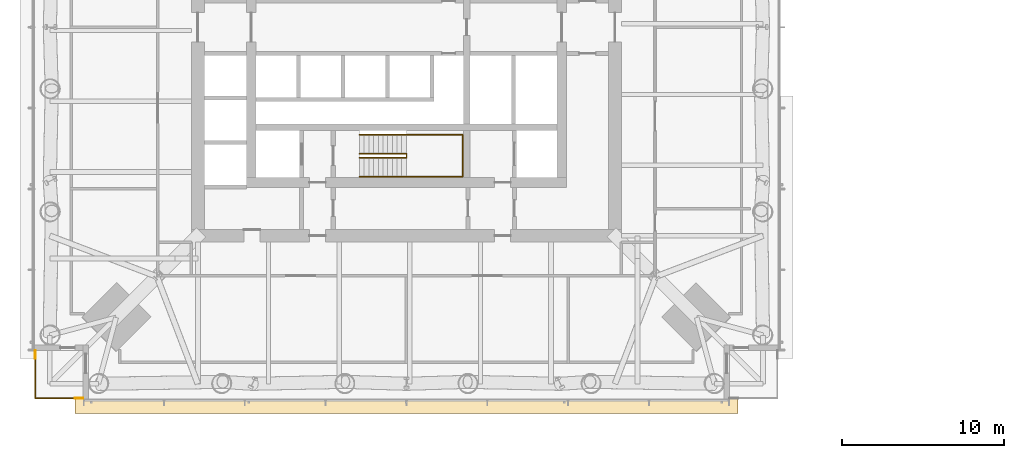
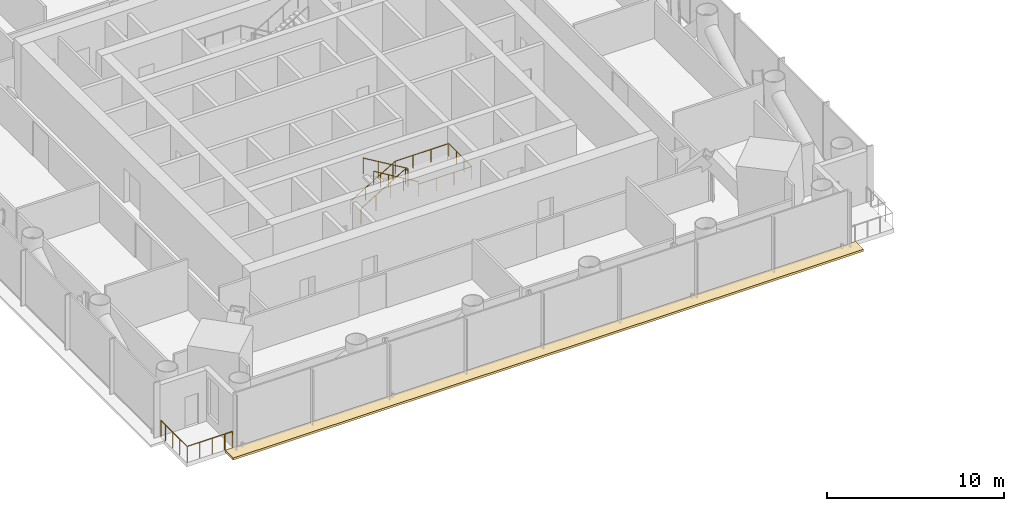
# One storey, part 24 of 28: 5 railings, 1 covering.
"""IFC4 building model written with IfcOpenShell, lengths in metres."""

from ifc_helpers import new_model, si_unit, direction, frame, origin, origin_2d, place, context, subcontext, project, spatial, polyline, circle, outline, extrude, material, layer, layer_set, type_object, element, save


model = new_model("IFC4")

# Units and contexts
model_context = context("Model", 3, precision=1e-05, world=origin(), true_north=direction((0.0, 1.0)))
body_context = subcontext(model_context, "Body", "Model", "MODEL_VIEW")
ifc_project = project(units=[si_unit("LENGTHUNIT", "METRE"), si_unit("AREAUNIT", "SQUARE_METRE"), si_unit("VOLUMEUNIT", "CUBIC_METRE"), si_unit("PLANEANGLEUNIT", "RADIAN"), si_unit("MASSUNIT", "GRAM", prefix="KILO")], contexts=[model_context])

# Site, building, storey
site_placement = place(None, origin())
site = spatial("IfcSite", under=ifc_project, at=site_placement, CompositionType="ELEMENT")
building_placement = place(site_placement, origin())
building = spatial("IfcBuilding", under=site, at=building_placement, Name="Ostroluk Exchange", CompositionType="ELEMENT")
storey_placement = place(building_placement, frame((0.0, 0.0, 81.800048828125)))
storey = spatial("IfcBuildingStorey", under=building, at=storey_placement, Name="L20", CompositionType="ELEMENT", Elevation=81.800048828125)

# Railings
ifc_material_1 = material(Name="Stainless steel", Category="steel")
railing_type_1 = type_object("IfcRailingType", Name="Guard 1100 stainless steel", PredefinedType="GUARDRAIL", material=ifc_material_1)
railing_1_placement = place(storey_placement, frame((24.5, 23.050048828125, 0.0)))
element("IfcRailing", 1, at=railing_1_placement, inside=storey, type_object=railing_type_1, Name="Office tower SW balcony guard L20", PredefinedType="GUARDRAIL", context=body_context, shape_type="SweptSolid", body=[
    extrude(circle(Radius=0.02392578125, at=origin_2d()), frame((0.0, 0.0, 1.076171875), z_axis=(-1.0, 0.0, 0.0), x_axis=(0.0, -1.0, 0.0)), (0.0, 0.0, 1.0), 2.449951171875),
    extrude(circle(Radius=0.02392578125, at=origin_2d()), frame((-2.449951171875, 0.0, 1.076171875), z_axis=(0.0, 1.0, 0.0), x_axis=(-1.0, 0.0, 0.0)), (0.0, 0.0, 1.0), 2.449951171875),
    extrude(circle(Radius=0.02099609375, at=origin_2d()), origin(), (0.0, 0.0, 1.0), 1.052001953125),
    extrude(circle(Radius=0.02099609375, at=origin_2d()), frame((-0.816650390625, 0.0, 0.0)), (0.0, 0.0, 1.0), 1.052001953125),
    extrude(circle(Radius=0.02099609375, at=origin_2d()), frame((-1.63330078125, 0.0, 0.0)), (0.0, 0.0, 1.0), 1.052001953125),
    extrude(circle(Radius=0.02099609375, at=origin_2d()), frame((-2.449951171875, 0.0, 0.0)), (0.0, 0.0, 1.0), 1.052001953125),
    extrude(circle(Radius=0.02099609375, at=origin_2d()), frame((-2.449951171875, 0.816650390625, 0.0)), (0.0, 0.0, 1.0), 1.052001953125),
    extrude(circle(Radius=0.02099609375, at=origin_2d()), frame((-2.449951171875, 1.63330078125, 0.0)), (0.0, 0.0, 1.0), 1.052001953125),
    extrude(circle(Radius=0.02099609375, at=origin_2d()), frame((-2.449951171875, 2.449951171875, 0.0)), (0.0, 0.0, 1.0), 1.052001953125),
])
ifc_material_2 = material(Name="Stainless steel", Category="steel")
railing_type_2 = type_object("IfcRailingType", Name="Lockable maintenance gate 1100", PredefinedType="GUARDRAIL", material=ifc_material_2)
railing_2_placement = place(storey_placement, frame((25.0, 23.050048828125, 0.0)))
element("IfcRailing", 2, at=railing_2_placement, inside=storey, type_object=railing_type_2, Name="Lockable maintenance gate T1 L20 SW", PredefinedType="GUARDRAIL", context=body_context, shape_type="SweptSolid", body=[
    extrude(circle(Radius=0.02392578125, at=origin_2d()), frame((0.0, 0.0, 1.076171875), z_axis=(-1.0, 0.0, 0.0), x_axis=(0.0, -1.0, 0.0)), (0.0, 0.0, 1.0), 0.5),
    extrude(circle(Radius=0.02099609375, at=origin_2d()), origin(), (0.0, 0.0, 1.0), 1.052001953125),
    extrude(circle(Radius=0.02099609375, at=origin_2d()), frame((-0.5, 0.0, 0.0)), (0.0, 0.0, 1.0), 1.052001953125),
])
railing_3_placement = place(storey_placement, frame((22.050048828125, 25.5, 0.0)))
element("IfcRailing", 3, at=railing_3_placement, inside=storey, type_object=railing_type_2, Name="Lockable maintenance gate T1 L20 SW", PredefinedType="GUARDRAIL", context=body_context, shape_type="SweptSolid", body=[
    extrude(circle(Radius=0.02392578125, at=origin_2d()), frame((0.0, 0.0, 1.076171875), z_axis=(0.0, 1.0, 0.0), x_axis=(-1.0, 0.0, 0.0)), (0.0, 0.0, 1.0), 0.5),
    extrude(circle(Radius=0.02099609375, at=origin_2d()), origin(), (0.0, 0.0, 1.0), 1.052001953125),
    extrude(circle(Radius=0.02099609375, at=origin_2d()), frame((0.0, 0.5, 0.0)), (0.0, 0.0, 1.0), 1.052001953125),
])

# Covering
ifc_material_3 = material(Name="Insulated steel roof deck with membrane, laid to falls, aluminium coping", Category="steel")
ifc_layer = layer(ifc_material_3, 0.14990234375)
ifc_layer_set = layer_set([ifc_layer], Name="Setback maintenance roof")
covering_type = type_object("IfcCoveringType", Name="Setback maintenance roof", PredefinedType="ROOFING", material=ifc_layer_set)
covering_placement = place(storey_placement, frame((0.0, 0.0, -0.150146484375)))
element("IfcCovering", 4, at=covering_placement, inside=storey, type_object=covering_type, Name="Maintenance roof, setback L20 south", PredefinedType="ROOFING", context=body_context, shape_type="SweptSolid", body=[
    extrude(outline(polyline([(24.5, 23.0), (65.5, 23.0), (65.5, 22.10009765625), (24.5, 22.10009765625), (24.5, 23.0)])), origin(), (0.0, 0.0, 1.0), 0.150146484375),
])

# Railings
ifc_material_4 = material(Name="Steel S355", Category="steel")
railing_type_3 = type_object("IfcRailingType", Name="Stair guard 1100", PredefinedType="GUARDRAIL", material=ifc_material_4)
railing_4_placement = place(storey_placement, frame((42.10009765625, 38.179931640625, 0.172607421875)))
element("IfcRailing", 5, at=railing_4_placement, inside=storey, type_object=railing_type_3, Name="Stair T1-S1 guard L20", PredefinedType="GUARDRAIL", context=body_context, shape_type="SweptSolid", body=[
    extrude(circle(Radius=0.02392578125, at=origin_2d()), frame((0.0, 0.0, 1.076171875), z_axis=(0.859141464434, 0.0, 0.511738159696), x_axis=(0.0, 1.0, 0.0)), (0.0, 0.0, 1.0), 3.375244140625),
    extrude(circle(Radius=0.02392578125, at=origin_2d()), frame((2.89990234375, 0.0, 2.80322265625), z_axis=(0.0, -1.0, 0.0), x_axis=(1.0, 0.0, 0.0)), (0.0, 0.0, 1.0), 0.260009765625),
    extrude(circle(Radius=0.02392578125, at=origin_2d()), frame((2.89990234375, -0.260009765625, 2.80322265625), z_axis=(0.0, 0.0, 1.0), x_axis=(1.0, 0.0, 0.0)), (0.0, 0.0, 1.0), 0.1728515625),
    extrude(circle(Radius=0.02392578125, at=origin_2d()), frame((2.89990234375, -0.260009765625, 2.97607421875), z_axis=(-0.859141464434, 0.0, 0.511738159696), x_axis=(0.0, -1.0, 0.0)), (0.0, 0.0, 1.0), 3.375244140625),
    extrude(circle(Radius=0.02099609375, at=origin_2d()), origin(), (0.0, 0.0, 1.0), 1.052001953125),
    extrude(circle(Radius=0.02099609375, at=origin_2d()), frame((0.966552734375, 0.0, 0.57568359375)), (0.0, 0.0, 1.0), 1.052001953125),
    extrude(circle(Radius=0.02099609375, at=origin_2d()), frame((1.933349609375, 0.0, 1.151611328125)), (0.0, 0.0, 1.0), 1.052001953125),
    extrude(circle(Radius=0.02099609375, at=origin_2d()), frame((2.89990234375, 0.0, 1.727294921875)), (0.0, 0.0, 1.0), 1.052001953125),
    extrude(circle(Radius=0.02099609375, at=origin_2d()), frame((2.89990234375, -0.260009765625, 1.727294921875)), (0.0, 0.0, 1.0), 1.052001953125),
    extrude(circle(Radius=0.02099609375, at=origin_2d()), frame((2.89990234375, -0.260009765625, 1.900146484375)), (0.0, 0.0, 1.0), 1.052001953125),
    extrude(circle(Radius=0.02099609375, at=origin_2d()), frame((1.933349609375, -0.260009765625, 2.475830078125)), (0.0, 0.0, 1.0), 1.052001953125),
    extrude(circle(Radius=0.02099609375, at=origin_2d()), frame((0.966552734375, -0.260009765625, 3.0517578125)), (0.0, 0.0, 1.0), 1.052001953125),
    extrude(circle(Radius=0.02099609375, at=origin_2d()), frame((0.0, -0.260009765625, 3.62744140625)), (0.0, 0.0, 1.0), 1.052001953125),
])
ifc_material_5 = material(Name="Stainless steel", Category="steel")
railing_type_4 = type_object("IfcRailingType", Name="Stair handrail 900", PredefinedType="HANDRAIL", material=ifc_material_5)
railing_5_placement = place(storey_placement, frame((42.10009765625, 39.35009765625, 0.172607421875)))
element("IfcRailing", 6, at=railing_5_placement, inside=storey, type_object=railing_type_4, Name="Stair T1-S1 handrail L20", PredefinedType="HANDRAIL", context=body_context, shape_type="SweptSolid", body=[
    extrude(circle(Radius=0.02392578125, at=origin_2d()), frame((0.0, 0.0, 0.8759765625), z_axis=(0.859141464434, 0.0, 0.511738159696), x_axis=(0.0, 1.0, 0.0)), (0.0, 0.0, 1.0), 3.375244140625),
    extrude(circle(Radius=0.02392578125, at=origin_2d()), frame((2.89990234375, 0.0, 2.60302734375), z_axis=(1.0, 0.0, 0.0), x_axis=(0.0, 1.0, 0.0)), (0.0, 0.0, 1.0), 3.47998046875),
    extrude(circle(Radius=0.02392578125, at=origin_2d()), frame((6.3798828125, 0.0, 2.60302734375), z_axis=(0.0, -1.0, 0.0), x_axis=(1.0, 0.0, 0.0)), (0.0, 0.0, 1.0), 2.60009765625),
    extrude(circle(Radius=0.02392578125, at=origin_2d()), frame((6.3798828125, -2.60009765625, 2.60302734375), z_axis=(-1.0, 0.0, 0.0), x_axis=(0.0, -1.0, 0.0)), (0.0, 0.0, 1.0), 3.47998046875),
    extrude(circle(Radius=0.02392578125, at=origin_2d()), frame((2.89990234375, -2.60009765625, 2.60302734375), z_axis=(0.0, 0.0, 1.0), x_axis=(1.0, 0.0, 0.0)), (0.0, 0.0, 1.0), 0.1728515625),
    extrude(circle(Radius=0.02392578125, at=origin_2d()), frame((2.89990234375, -2.60009765625, 2.77587890625), z_axis=(-0.859141464434, 0.0, 0.511738159696), x_axis=(0.0, -1.0, 0.0)), (0.0, 0.0, 1.0), 3.375244140625),
    extrude(circle(Radius=0.02099609375, at=origin_2d()), origin(), (0.0, 0.0, 1.0), 0.851806640625),
    extrude(circle(Radius=0.02099609375, at=origin_2d()), frame((0.966552734375, 0.0, 0.57568359375)), (0.0, 0.0, 1.0), 0.851806640625),
    extrude(circle(Radius=0.02099609375, at=origin_2d()), frame((1.933349609375, 0.0, 1.151611328125)), (0.0, 0.0, 1.0), 0.851806640625),
    extrude(circle(Radius=0.02099609375, at=origin_2d()), frame((2.89990234375, 0.0, 1.727294921875)), (0.0, 0.0, 1.0), 0.851806640625),
    extrude(circle(Radius=0.02099609375, at=origin_2d()), frame((4.059814453125, 0.0, 1.727294921875)), (0.0, 0.0, 1.0), 0.851806640625),
    extrude(circle(Radius=0.02099609375, at=origin_2d()), frame((5.219970703125, 0.0, 1.727294921875)), (0.0, 0.0, 1.0), 0.851806640625),
    extrude(circle(Radius=0.02099609375, at=origin_2d()), frame((6.3798828125, 0.0, 1.727294921875)), (0.0, 0.0, 1.0), 0.851806640625),
    extrude(circle(Radius=0.02099609375, at=origin_2d()), frame((6.3798828125, -0.86669921875, 1.727294921875)), (0.0, 0.0, 1.0), 0.851806640625),
    extrude(circle(Radius=0.02099609375, at=origin_2d()), frame((6.3798828125, -1.7333984375, 1.727294921875)), (0.0, 0.0, 1.0), 0.851806640625),
    extrude(circle(Radius=0.02099609375, at=origin_2d()), frame((6.3798828125, -2.60009765625, 1.727294921875)), (0.0, 0.0, 1.0), 0.851806640625),
    extrude(circle(Radius=0.02099609375, at=origin_2d()), frame((5.219970703125, -2.60009765625, 1.727294921875)), (0.0, 0.0, 1.0), 0.851806640625),
    extrude(circle(Radius=0.02099609375, at=origin_2d()), frame((4.059814453125, -2.60009765625, 1.727294921875)), (0.0, 0.0, 1.0), 0.851806640625),
    extrude(circle(Radius=0.02099609375, at=origin_2d()), frame((2.89990234375, -2.60009765625, 1.727294921875)), (0.0, 0.0, 1.0), 0.851806640625),
    extrude(circle(Radius=0.02099609375, at=origin_2d()), frame((2.89990234375, -2.60009765625, 1.900146484375)), (0.0, 0.0, 1.0), 0.851806640625),
    extrude(circle(Radius=0.02099609375, at=origin_2d()), frame((1.933349609375, -2.60009765625, 2.475830078125)), (0.0, 0.0, 1.0), 0.851806640625),
    extrude(circle(Radius=0.02099609375, at=origin_2d()), frame((0.966552734375, -2.60009765625, 3.0517578125)), (0.0, 0.0, 1.0), 0.851806640625),
    extrude(circle(Radius=0.02099609375, at=origin_2d()), frame((0.0, -2.60009765625, 3.62744140625)), (0.0, 0.0, 1.0), 0.851806640625),
])

save(model, "model.ifc")
